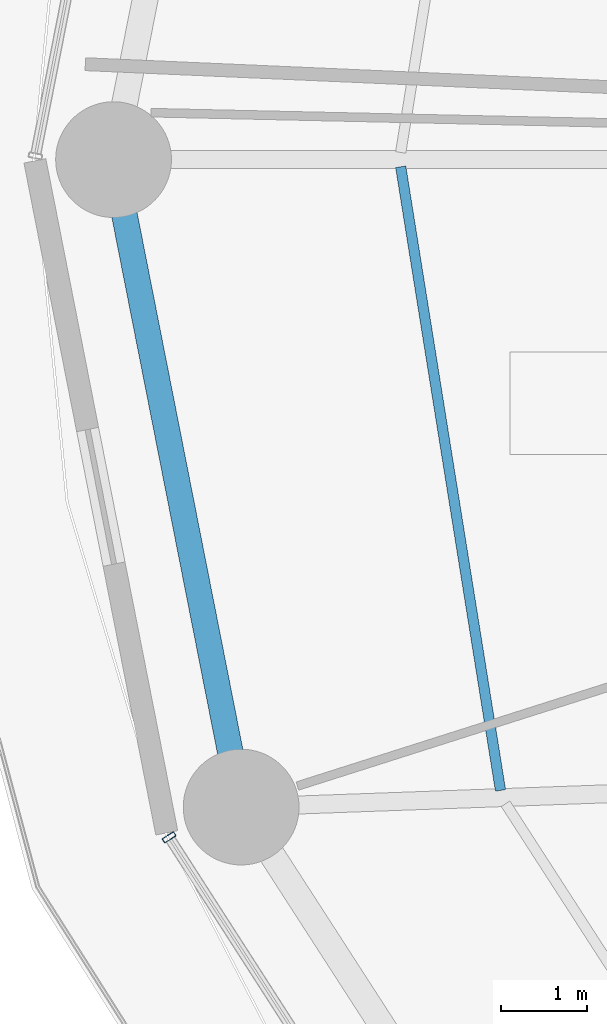
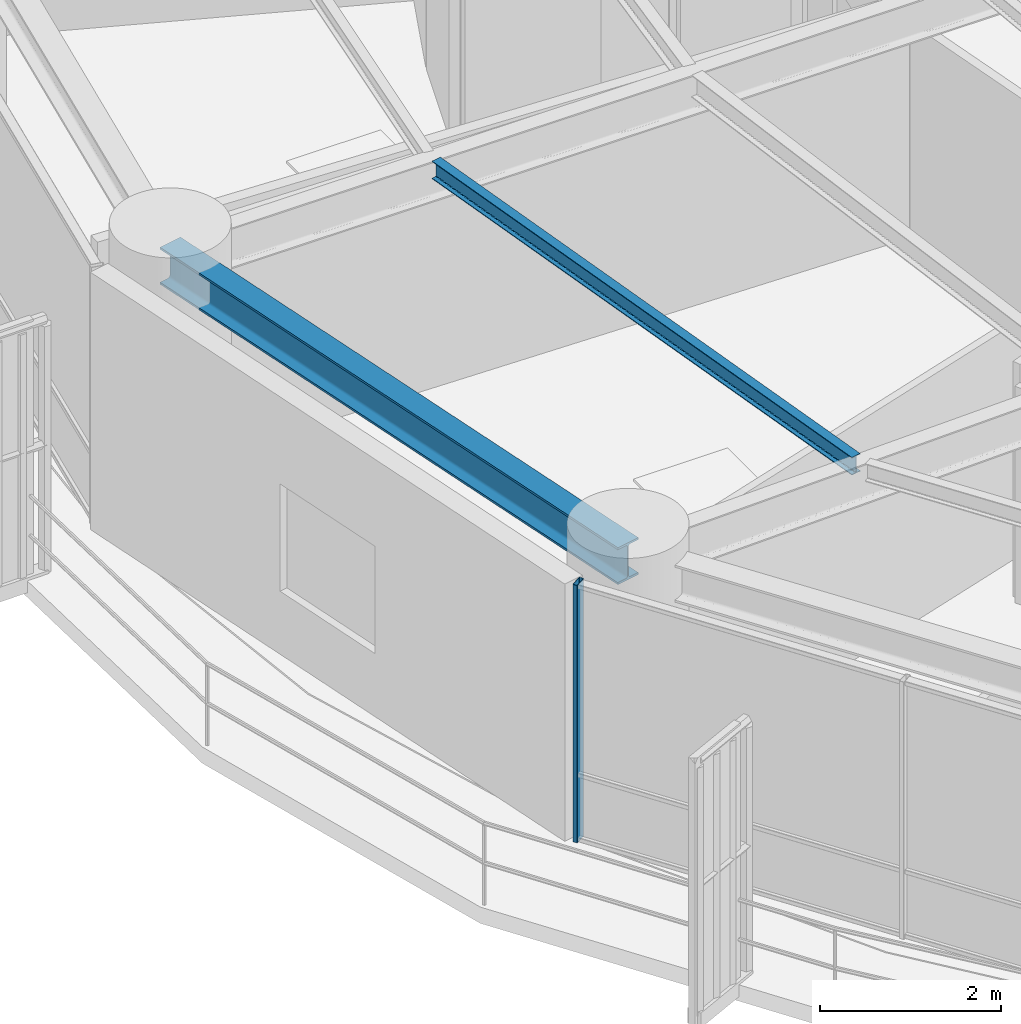
# One storey, part 6 of 37: 2 beams, 1 member, 1 element without a shape of its own.
"""IFC4 building model written with IfcOpenShell, lengths in metres."""

from ifc_helpers import new_model, si_unit, direction, frame, origin, origin_2d, place, context, subcontext, project, spatial, hollow_rectangle, i_section, extrude, material, layer, layer_set, material_profile, profile_set, type_object, element, aggregate, save


model = new_model("IFC4")

# Units and contexts
model_context = context("Model", 3, precision=1e-05, world=origin(), true_north=direction((0.0, 1.0)))
body_context = subcontext(model_context, "Body", "Model", "MODEL_VIEW")
ifc_project = project(units=[si_unit("LENGTHUNIT", "METRE"), si_unit("AREAUNIT", "SQUARE_METRE"), si_unit("VOLUMEUNIT", "CUBIC_METRE"), si_unit("PLANEANGLEUNIT", "RADIAN"), si_unit("MASSUNIT", "GRAM", prefix="KILO")], contexts=[model_context])

# Site, building, storey
site_placement = place(None, origin())
site = spatial("IfcSite", under=ifc_project, at=site_placement, CompositionType="ELEMENT")
building_placement = place(site_placement, origin())
building = spatial("IfcBuilding", under=site, at=building_placement, Name="Kelanora Arch Commons", CompositionType="ELEMENT")
storey_placement = place(building_placement, frame((0.0, 0.0, 110.10009765625)))
storey = spatial("IfcBuildingStorey", under=building, at=storey_placement, Name="L28", CompositionType="ELEMENT", Elevation=110.10009765625)

# Beams
ifc_material_1 = material(Name="Steel S355", Category="steel")
ifc_material_profile_1 = material_profile(ifc_material_1, i_section(OverallWidth=0.1201171875, OverallDepth=0.239990234375, WebThickness=0.006103515625, FlangeThickness=0.009765625, FilletRadius=0.014892578125, at=origin_2d()), Name="IPE240")
ifc_profile_set_1 = profile_set([ifc_material_profile_1], Name="Steel S355")
beam_type_1 = type_object("IfcBeamType", Name="BM-JST-02", PredefinedType="JOIST", material=ifc_profile_set_1)
beam_1_placement = place(storey_placement, frame((52.66943359375, 57.916015625, 3.369873046875), z_axis=(0.157999549894, -0.987439184068, 0.0), x_axis=(0.987439184068, 0.157999549894, 0.0)))
element("IfcBeam", 1, at=beam_1_placement, inside=storey, type_object=beam_type_1, Name="Secondary Chord Joist BJC-18 L28", PredefinedType="JOIST", context=body_context, shape_type="SweptSolid", body=[
    extrude(i_section(OverallWidth=0.1201171875, OverallDepth=0.239990234375, WebThickness=0.006103515625, FlangeThickness=0.009765625, FilletRadius=0.014892578125, at=origin_2d()), origin(), (0.0, 0.0, 1.0), 7.365966796875),
])
ifc_material_profile_2 = material_profile(ifc_material_1, i_section(OverallWidth=0.300048828125, OverallDepth=0.5, WebThickness=0.014404296875, FlangeThickness=0.028076171875, FilletRadius=0.027099609375, at=origin_2d()), Name="HEB500")
ifc_profile_set_2 = profile_set([ifc_material_profile_2], Name="Steel S355")
beam_type_2 = type_object("IfcBeamType", Name="BM-SPN-Z2", PredefinedType="SPANDREL", material=ifc_profile_set_2)
beam_2_placement = place(storey_placement, frame((49.320068359375, 58.0, 3.239990234375), z_axis=(0.19335825777, -0.981128220037, 0.0), x_axis=(0.981128220037, 0.19335825777, 0.0)))
element("IfcBeam", 2, at=beam_2_placement, inside=storey, type_object=beam_type_2, Name="Perimeter Spandrel Beam BS-18 L28", PredefinedType="SPANDREL", context=body_context, shape_type="SweptSolid", body=[
    extrude(i_section(OverallWidth=0.300048828125, OverallDepth=0.5, WebThickness=0.014404296875, FlangeThickness=0.028076171875, FilletRadius=0.027099609375, at=origin_2d()), origin(), (0.0, 0.0, 1.0), 7.697021484375),
])

# Curtain wall, member
ifc_material_2 = material(Name="Terracotta ceramic-fritted low-E glass and aluminium", Category="masonry")
ifc_layer = layer(ifc_material_2, 0.159912109375)
ifc_layer_set = layer_set([ifc_layer], Name="Terracotta ceramic-fritted low-E glass and aluminium")
curtain_wall_type = type_object("IfcCurtainWallType", Name="CW-SYS-01", PredefinedType="NOTDEFINED", material=ifc_layer_set)
curtain_wall_placement = place(storey_placement, origin())
curtain_wall = element("IfcCurtainWall", 3, at=curtain_wall_placement, inside=storey, type_object=curtain_wall_type, Name="Unitised Curtain Wall L28-B10", PredefinedType="NOTDEFINED")
ifc_material_3 = material(Name="Powder-coated aluminium terracotta", Category="masonry")
ifc_material_profile_3 = material_profile(ifc_material_3, hollow_rectangle(XDim=0.159912109375, YDim=0.06005859375, WallThickness=0.0048828125, InnerFilletRadius=0.0048828125, OuterFilletRadius=0.010009765625, at=origin_2d()), Name="CWM160x60")
ifc_profile_set_3 = profile_set([ifc_material_profile_3], Name="Powder-coated aluminium terracotta")
member_type = type_object("IfcMemberType", Name="CWM-STD", PredefinedType="MULLION", material=ifc_profile_set_3)
member_placement = place(storey_placement, frame((49.96826171875, 50.095703125, 0.0), z_axis=(0.0, 0.0, 1.0), x_axis=(0.841268883088, 0.540616931244, 0.0)))
member = element("IfcMember", 4, at=member_placement, type_object=member_type, Name="CW-01 mullion 1", PredefinedType="MULLION", context=body_context, shape_type="SweptSolid", body=[
    extrude(hollow_rectangle(XDim=0.159912109375, YDim=0.06005859375, WallThickness=0.0048828125, InnerFilletRadius=0.0048828125, OuterFilletRadius=0.010009765625, at=origin_2d()), origin(), (0.0, 0.0, 1.0), 3.474853515625),
])
aggregate(curtain_wall, [member])

save(model, "model.ifc")
